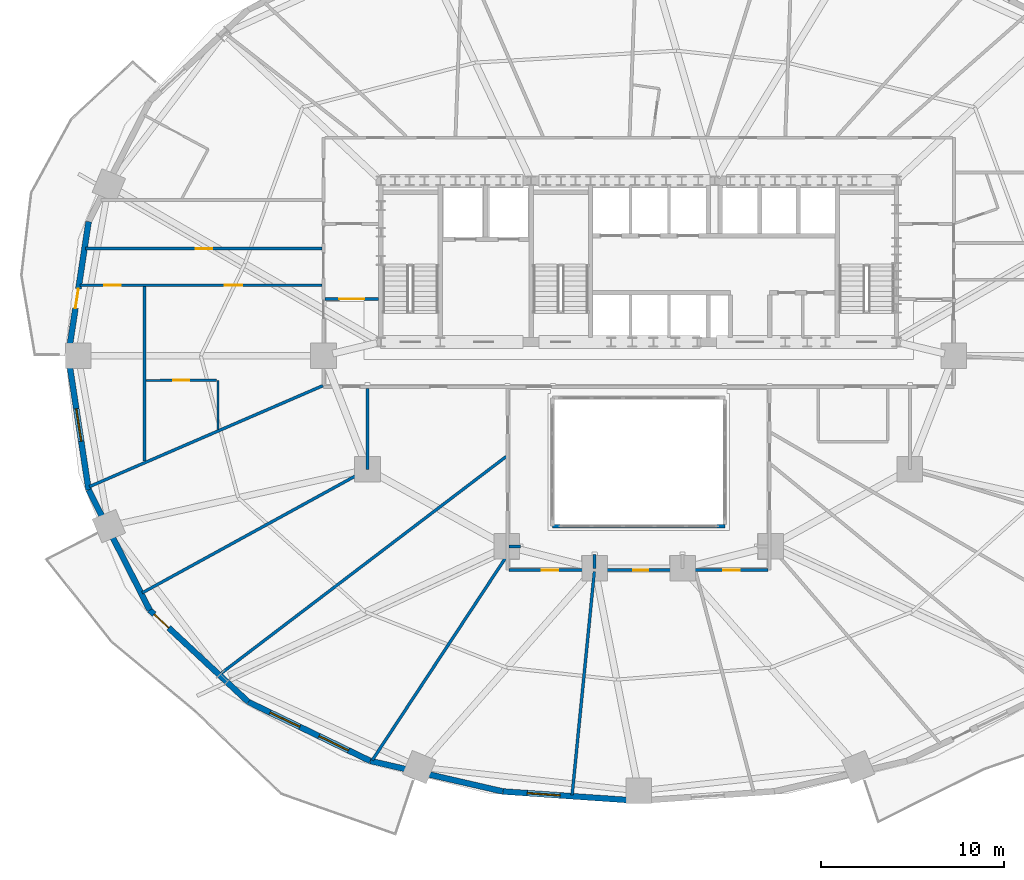
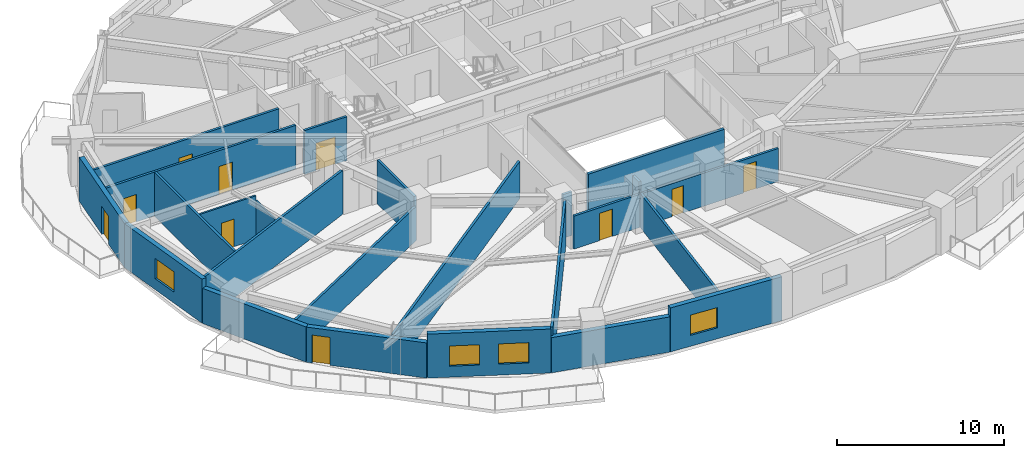
# One storey, part 9 of 17: 23 walls, 10 doors, 4 windows, 14 openings.
"""IFC4 building model written with IfcOpenShell, lengths in metres."""

from ifc_helpers import new_model, si_unit, direction, frame, frame_2d, origin, place, context, subcontext, project, spatial, rectangle, extrude, material, layer, layer_set, type_object, element, fill, save


model = new_model("IFC4")

# Units and contexts
model_context = context("Model", 3, precision=1e-05, world=origin(), true_north=direction((0.0, 1.0)))
body_context = subcontext(model_context, "Body", "Model", "MODEL_VIEW")
ifc_project = project(units=[si_unit("LENGTHUNIT", "METRE"), si_unit("AREAUNIT", "SQUARE_METRE"), si_unit("VOLUMEUNIT", "CUBIC_METRE"), si_unit("PLANEANGLEUNIT", "RADIAN"), si_unit("MASSUNIT", "GRAM", prefix="KILO")], contexts=[model_context])

# Site, building, storey
site_placement = place(None, origin())
site = spatial("IfcSite", under=ifc_project, at=site_placement, CompositionType="ELEMENT")
building_placement = place(site_placement, origin())
building = spatial("IfcBuilding", under=site, at=building_placement, Name="Haldorwick Loom Tower", CompositionType="ELEMENT")
storey_placement = place(building_placement, frame((0.0, 0.0, 44.699951171875)))
storey = spatial("IfcBuildingStorey", under=building, at=storey_placement, Name="L11", CompositionType="ELEMENT", Elevation=44.699951171875)

# Wall, opening, door
ifc_material_1 = material(Name="Pressed Clay Face Brick and Insulated Masonry Backup Assembly", Category="masonry")
ifc_layer_1 = layer(ifc_material_1, 0.320068359375, Name="Pressed Clay Face Brick and Insulated Masonry Backup Assembly", Category="masonry")
ifc_layer_set_1 = layer_set([ifc_layer_1], Name="Pressed Clay Face Brick and Insulated Masonry Backup Assembly")
wall_type_1 = type_object("IfcWallType", Name="ARC-WL-EXT320", PredefinedType="STANDARD", material=ifc_layer_set_1)
wall_1_placement = place(storey_placement, frame((5.978271484375, 33.320556640625, 0.0), z_axis=(0.0, 0.0, 1.0), x_axis=(-0.150476322528, -0.988613613278, 0.0)))
wall_1 = element("IfcWall", 1, at=wall_1_placement, inside=storey, type_object=wall_type_1, Name="L11 Brick Pier and Spandrel Wall 12", PredefinedType="STANDARD", context=body_context, shape_type="SweptSolid", body=[
    extrude(rectangle(XDim=7.40478515625, YDim=0.320068359375, at=frame_2d((3.702392578125, 0.0))), origin(), (0.0, 0.0, 1.0), 3.2099609375),
])
opening_1_placement = place(wall_1_placement, frame((3.702880859375, 0.0, 0.0)))
opening_1 = element("IfcOpeningElement", 2, at=opening_1_placement, cuts=wall_1, Name="Opening D-BL11", PredefinedType="OPENING", context=body_context, shape_type="SweptSolid", body=[
    extrude(rectangle(XDim=1.080078125, YDim=2.0400390625, at=frame_2d((0.5400390625, 1.02001953125))), frame((0.0, 0.169921875, 0.0), z_axis=(0.0, -1.0, 0.0), x_axis=(1.0, 0.0, 0.0)), (0.0, 0.0, 1.0), 0.340087890625),
])
ifc_material_2 = material(Name="Thermally Broken Anodized Aluminium Curtain Wall Framing", Category="aluminium")
door_type_1 = type_object("IfcDoorType", Name="ARC-DR-BAL110", OperationType="NOTDEFINED", PredefinedType="DOOR", material=ifc_material_2)
door_1_placement = place(opening_1_placement, origin())
door_1 = element("IfcDoor", 3, at=door_1_placement, inside=storey, type_object=door_type_1, Name="L11 Outdoor Terrace Door SLB-L11-BAL_WNW", OperationType="SINGLE_SWING_LEFT", OverallHeight=2.0400390625, OverallWidth=1.080078125, PredefinedType="DOOR", context=body_context, shape_type="SweptSolid", body=[
    extrude(rectangle(XDim=1.080078125, YDim=2.0400390625, at=frame_2d((0.5400390625, 1.02001953125))), frame((0.0, 0.02490234375, 0.0), z_axis=(0.0, -1.0, 0.0), x_axis=(1.0, 0.0, 0.0)), (0.0, 0.0, 1.0), 0.050048828125),
])
fill(opening_1, door_1)

# Wall, opening, window
wall_2_placement = place(storey_placement, frame((4.864013671875, 26.0, 0.0), z_axis=(0.0, 0.0, 1.0), x_axis=(0.150476322528, -0.988613613278, 0.0)))
wall_2 = element("IfcWall", 4, at=wall_2_placement, inside=storey, type_object=wall_type_1, Name="L11 Brick Pier and Spandrel Wall 13", PredefinedType="STANDARD", context=body_context, shape_type="SweptSolid", body=[
    extrude(rectangle(XDim=7.40478515625, YDim=0.320068359375, at=frame_2d((3.702392578125, 0.0))), origin(), (0.0, 0.0, 1.0), 3.2099609375),
])
opening_2_placement = place(wall_2_placement, frame((2.922607421875, 0.0, 0.800048828125)))
opening_2 = element("IfcOpeningElement", 5, at=opening_2_placement, cuts=wall_2, Name="Opening W-01", PredefinedType="OPENING", context=body_context, shape_type="SweptSolid", body=[
    extrude(rectangle(XDim=1.800048828125, YDim=1.47998046875, at=frame_2d((0.89990234375, 0.739990234375))), frame((0.0, 0.169921875, 0.0), z_axis=(0.0, -1.0, 0.0), x_axis=(1.0, 0.0, 0.0)), (0.0, 0.0, 1.0), 0.340087890625),
])
ifc_material_3 = material(Name="Triple-Glazed Low-E Argon Insulated Glazing Unit", Category="glass")
window_type = type_object("IfcWindowType", Name="ARC-WIN-W180", PartitioningType="SINGLE_PANEL", PredefinedType="WINDOW", material=ifc_material_3)
window_1_placement = place(opening_2_placement, origin())
window_1 = element("IfcWindow", 6, at=window_1_placement, inside=storey, type_object=window_type, Name="L11 Deep-Set Zone 7A Window 13", OverallHeight=1.47998046875, OverallWidth=1.800048828125, PartitioningType="SINGLE_PANEL", PredefinedType="WINDOW", context=body_context, shape_type="SweptSolid", body=[
    extrude(rectangle(XDim=1.800048828125, YDim=1.47998046875, at=frame_2d((0.89990234375, 0.739990234375))), frame((0.0, 0.030029296875, 0.0), z_axis=(0.0, -1.0, 0.0), x_axis=(1.0, 0.0, 0.0)), (0.0, 0.0, 1.0), 0.06005859375),
])
fill(opening_2, window_1)

# Wall
wall_3_placement = place(storey_placement, frame((5.978271484375, 18.679443359375, 0.0), z_axis=(0.0, 0.0, 1.0), x_axis=(0.452950855928, -0.891535485617, 0.0)))
element("IfcWall", 7, at=wall_3_placement, inside=storey, type_object=wall_type_1, Name="L11 Brick Pier and Spandrel Wall 14", PredefinedType="STANDARD", context=body_context, shape_type="SweptSolid", body=[
    extrude(rectangle(XDim=7.3583984375, YDim=0.320068359375, at=frame_2d((3.67919921875, 0.0))), origin(), (0.0, 0.0, 1.0), 2.569091796875),
])

# Wall, opening, door
wall_4_placement = place(storey_placement, frame((9.311279296875, 12.119140625, 0.0), z_axis=(0.0, 0.0, 1.0), x_axis=(0.73176101237, -0.681561311091, 0.0)))
wall_4 = element("IfcWall", 8, at=wall_4_placement, inside=storey, type_object=wall_type_1, Name="L11 Brick Pier and Spandrel Wall 15", PredefinedType="STANDARD", context=body_context, shape_type="SweptSolid", body=[
    extrude(rectangle(XDim=7.3583984375, YDim=0.320068359375, at=frame_2d((3.67919921875, 0.0))), origin(), (0.0, 0.0, 1.0), 2.569091796875),
])
opening_3_placement = place(wall_4_placement, frame((0.340087890625, 0.0, 0.0)))
opening_3 = element("IfcOpeningElement", 9, at=opening_3_placement, cuts=wall_4, Name="Opening D-BL11", PredefinedType="OPENING", context=body_context, shape_type="SweptSolid", body=[
    extrude(rectangle(XDim=1.080078125, YDim=2.0400390625, at=frame_2d((0.5400390625, 1.02001953125))), frame((0.0, 0.169921875, 0.0), z_axis=(0.0, -1.0, 0.0), x_axis=(1.0, 0.0, 0.0)), (0.0, 0.0, 1.0), 0.340087890625),
])
door_2_placement = place(opening_3_placement, origin())
door_2 = element("IfcDoor", 10, at=door_2_placement, inside=storey, type_object=door_type_1, Name="L11 Outdoor Terrace Door SLB-L11-BAL_SW", OperationType="SINGLE_SWING_LEFT", OverallHeight=2.0400390625, OverallWidth=1.080078125, PredefinedType="DOOR", context=body_context, shape_type="SweptSolid", body=[
    extrude(rectangle(XDim=1.080078125, YDim=2.0400390625, at=frame_2d((0.5400390625, 1.02001953125))), frame((0.0, 0.02490234375, 0.0), z_axis=(0.0, -1.0, 0.0), x_axis=(1.0, 0.0, 0.0)), (0.0, 0.0, 1.0), 0.050048828125),
])
fill(opening_3, door_2)

# Wall, openings, windows
wall_5_placement = place(storey_placement, frame((14.69580078125, 7.10400390625, 0.0), z_axis=(0.0, 0.0, 1.0), x_axis=(0.900295710431, -0.435278800057, 0.0)))
wall_5 = element("IfcWall", 11, at=wall_5_placement, inside=storey, type_object=wall_type_1, Name="L11 Brick Pier and Spandrel Wall 16", PredefinedType="STANDARD", context=body_context, shape_type="SweptSolid", body=[
    extrude(rectangle(XDim=7.39697265625, YDim=0.320068359375, at=frame_2d((3.698486328125, 0.0))), origin(), (0.0, 0.0, 1.0), 3.2099609375),
])
opening_4_placement = place(wall_5_placement, frame((1.319091796875, 0.0, 0.800048828125)))
opening_4 = element("IfcOpeningElement", 12, at=opening_4_placement, cuts=wall_5, Name="Opening W-01", PredefinedType="OPENING", context=body_context, shape_type="SweptSolid", body=[
    extrude(rectangle(XDim=1.800048828125, YDim=1.47998046875, at=frame_2d((0.89990234375, 0.739990234375))), frame((0.0, 0.169921875, 0.0), z_axis=(0.0, -1.0, 0.0), x_axis=(1.0, 0.0, 0.0)), (0.0, 0.0, 1.0), 0.340087890625),
])
opening_5_placement = place(wall_5_placement, frame((4.27783203125, 0.0, 0.800048828125)))
opening_5 = element("IfcOpeningElement", 13, at=opening_5_placement, cuts=wall_5, Name="Opening W-01", PredefinedType="OPENING", context=body_context, shape_type="SweptSolid", body=[
    extrude(rectangle(XDim=1.800048828125, YDim=1.47998046875, at=frame_2d((0.89990234375, 0.739990234375))), frame((0.0, 0.169921875, 0.0), z_axis=(0.0, -1.0, 0.0), x_axis=(1.0, 0.0, 0.0)), (0.0, 0.0, 1.0), 0.340087890625),
])
window_2_placement = place(opening_4_placement, origin())
window_2 = element("IfcWindow", 14, at=window_2_placement, inside=storey, type_object=window_type, Name="L11 Deep-Set Zone 7A Window 16", OverallHeight=1.47998046875, OverallWidth=1.800048828125, PartitioningType="SINGLE_PANEL", PredefinedType="WINDOW", context=body_context, shape_type="SweptSolid", body=[
    extrude(rectangle(XDim=1.800048828125, YDim=1.47998046875, at=frame_2d((0.89990234375, 0.739990234375))), frame((0.0, 0.030029296875, 0.0), z_axis=(0.0, -1.0, 0.0), x_axis=(1.0, 0.0, 0.0)), (0.0, 0.0, 1.0), 0.06005859375),
])
fill(opening_4, window_2)
window_3_placement = place(opening_5_placement, origin())
window_3 = element("IfcWindow", 15, at=window_3_placement, inside=storey, type_object=window_type, Name="L11 Deep-Set Zone 7A Window 16", OverallHeight=1.47998046875, OverallWidth=1.800048828125, PartitioningType="SINGLE_PANEL", PredefinedType="WINDOW", context=body_context, shape_type="SweptSolid", body=[
    extrude(rectangle(XDim=1.800048828125, YDim=1.47998046875, at=frame_2d((0.89990234375, 0.739990234375))), frame((0.0, 0.030029296875, 0.0), z_axis=(0.0, -1.0, 0.0), x_axis=(1.0, 0.0, 0.0)), (0.0, 0.0, 1.0), 0.06005859375),
])
fill(opening_5, window_3)

# Wall
wall_6_placement = place(storey_placement, frame((21.355224609375, 3.88427734375, 0.0), z_axis=(0.0, 0.0, 1.0), x_axis=(0.974522412345, -0.224290142088, 0.0)))
element("IfcWall", 16, at=wall_6_placement, inside=storey, type_object=wall_type_1, Name="L11 Brick Pier and Spandrel Wall 17", PredefinedType="STANDARD", context=body_context, shape_type="SweptSolid", body=[
    extrude(rectangle(XDim=7.422607421875, YDim=0.320068359375, at=frame_2d((3.71142578125, 0.0))), origin(), (0.0, 0.0, 1.0), 2.569091796875),
])

# Wall, opening, window
wall_7_placement = place(storey_placement, frame((28.588623046875, 2.219482421875, 0.0), z_axis=(0.0, 0.0, 1.0), x_axis=(0.997645161917, -0.068586667092, 0.0)))
wall_7 = element("IfcWall", 17, at=wall_7_placement, inside=storey, type_object=wall_type_1, Name="L11 Brick Pier and Spandrel Wall 18", PredefinedType="STANDARD", context=body_context, shape_type="SweptSolid", body=[
    extrude(rectangle(XDim=7.428955078125, YDim=0.320068359375, at=frame_2d((3.71435546875, 0.0))), origin(), (0.0, 0.0, 1.0), 3.2099609375),
])
opening_6_placement = place(wall_7_placement, frame((1.32861328125, 0.0, 0.800048828125)))
opening_6 = element("IfcOpeningElement", 18, at=opening_6_placement, cuts=wall_7, Name="Opening W-01", PredefinedType="OPENING", context=body_context, shape_type="SweptSolid", body=[
    extrude(rectangle(XDim=1.800048828125, YDim=1.47998046875, at=frame_2d((0.89990234375, 0.739990234375))), frame((0.0, 0.169921875, 0.0), z_axis=(0.0, -1.0, 0.0), x_axis=(1.0, 0.0, 0.0)), (0.0, 0.0, 1.0), 0.340087890625),
])
window_4_placement = place(opening_6_placement, origin())
window_4 = element("IfcWindow", 19, at=window_4_placement, inside=storey, type_object=window_type, Name="L11 Deep-Set Zone 7A Window 18", OverallHeight=1.47998046875, OverallWidth=1.800048828125, PartitioningType="SINGLE_PANEL", PredefinedType="WINDOW", context=body_context, shape_type="SweptSolid", body=[
    extrude(rectangle(XDim=1.800048828125, YDim=1.47998046875, at=frame_2d((0.89990234375, 0.739990234375))), frame((0.0, 0.030029296875, 0.0), z_axis=(0.0, -1.0, 0.0), x_axis=(1.0, 0.0, 0.0)), (0.0, 0.0, 1.0), 0.06005859375),
])
fill(opening_6, window_4)

# Wall, opening, door
ifc_material_4 = material(Name="Fire-Rated Type X Gypsum Stud Assembly EI 60")
ifc_layer_2 = layer(ifc_material_4, 0.159912109375, Name="Fire-Rated Type X Gypsum Stud Assembly EI 60")
ifc_layer_set_2 = layer_set([ifc_layer_2], Name="Fire-Rated Type X Gypsum Stud Assembly EI 60")
wall_type_2 = type_object("IfcWallType", Name="ARC-WL-FIRE160", PredefinedType="PARTITIONING", material=ifc_layer_set_2)
wall_8_placement = place(storey_placement, frame((18.883056640625, 29.10009765625, 0.0), z_axis=(0.0, 0.0, 1.0), x_axis=(1.0, 0.0, 0.0)))
wall_8 = element("IfcWall", 20, at=wall_8_placement, inside=storey, type_object=wall_type_2, Name="L11 Residential Fire Partition L11-CR-WSJ", PredefinedType="PARTITIONING", context=body_context, shape_type="SweptSolid", body=[
    extrude(rectangle(XDim=2.923828125, YDim=0.159912109375, at=frame_2d((1.4619140625, 0.0))), origin(), (0.0, 0.0, 1.0), 3.195068359375),
])
opening_7_placement = place(wall_8_placement, frame((0.787109375, 0.0, 0.0)))
opening_7 = element("IfcOpeningElement", 21, at=opening_7_placement, cuts=wall_8, Name="Opening D-CR15", PredefinedType="OPENING", context=body_context, shape_type="SweptSolid", body=[
    extrude(rectangle(XDim=1.35009765625, YDim=2.0, at=frame_2d((0.675048828125, 1.0))), frame((0.0, 0.08984375, 0.0), z_axis=(0.0, -1.0, 0.0), x_axis=(1.0, 0.0, 0.0)), (0.0, 0.0, 1.0), 0.179931640625),
])
ifc_material_5 = material(Name="Thermally Broken Anodized Aluminium and Tempered Glass", Category="aluminium")
door_type_2 = type_object("IfcDoorType", Name="ARC-DR-COR150", OperationType="NOTDEFINED", PredefinedType="DOOR", material=ifc_material_5)
door_3_placement = place(opening_7_placement, origin())
door_3 = element("IfcDoor", 22, at=door_3_placement, inside=storey, type_object=door_type_2, Name="L11 L11 West Residential Corridor to L11 Central Residential Corridor Do", OperationType="DOUBLE_DOOR_SINGLE_SWING", OverallHeight=2.0, OverallWidth=1.35009765625, PredefinedType="DOOR", context=body_context, shape_type="SweptSolid", body=[
    extrude(rectangle(XDim=1.35009765625, YDim=2.0, at=frame_2d((0.675048828125, 1.0))), frame((0.0, 0.02490234375, 0.0), z_axis=(0.0, -1.0, 0.0), x_axis=(1.0, 0.0, 0.0)), (0.0, 0.0, 1.0), 0.050048828125),
])
fill(opening_7, door_3)

# Wall, openings, doors
wall_9_placement = place(storey_placement, frame((28.93310546875, 14.300048828125, 0.0), z_axis=(0.0, 0.0, 1.0), x_axis=(1.0, 0.0, 0.0)))
wall_9 = element("IfcWall", 23, at=wall_9_placement, inside=storey, type_object=wall_type_2, Name="L11 Residential Fire Partition L11-CR-AS", PredefinedType="PARTITIONING", context=body_context, shape_type="SweptSolid", body=[
    extrude(rectangle(XDim=14.1337890625, YDim=0.159912109375, at=frame_2d((7.06689453125, 0.0))), origin(), (0.0, 0.0, 1.0), 2.412109375),
])
opening_8_placement = place(wall_9_placement, frame((1.77880859375, 0.0, 0.0)))
opening_8 = element("IfcOpeningElement", 24, at=opening_8_placement, cuts=wall_9, Name="Opening D-FD60A", PredefinedType="OPENING", context=body_context, shape_type="SweptSolid", body=[
    extrude(rectangle(XDim=0.89990234375, YDim=2.0, at=frame_2d((0.449951171875, 1.0))), frame((0.0, 0.08984375, 0.0), z_axis=(0.0, -1.0, 0.0), x_axis=(1.0, 0.0, 0.0)), (0.0, 0.0, 1.0), 0.179931640625),
])
opening_9_placement = place(wall_9_placement, frame((11.6962890625, 0.0, 0.0)))
opening_9 = element("IfcOpeningElement", 25, at=opening_9_placement, cuts=wall_9, Name="Opening D-FD60A", PredefinedType="OPENING", context=body_context, shape_type="SweptSolid", body=[
    extrude(rectangle(XDim=0.89990234375, YDim=2.0, at=frame_2d((0.449951171875, 1.0))), frame((0.0, 0.08984375, 0.0), z_axis=(0.0, -1.0, 0.0), x_axis=(1.0, 0.0, 0.0)), (0.0, 0.0, 1.0), 0.179931640625),
])
opening_10_placement = place(wall_9_placement, frame((6.77880859375, 0.0, 0.0)))
opening_10 = element("IfcOpeningElement", 26, at=opening_10_placement, cuts=wall_9, Name="Opening D-FD80", PredefinedType="OPENING", context=body_context, shape_type="SweptSolid", body=[
    extrude(rectangle(XDim=0.800048828125, YDim=2.0, at=frame_2d((0.39990234375, 1.0))), frame((0.0, 0.08984375, 0.0), z_axis=(0.0, -1.0, 0.0), x_axis=(1.0, 0.0, 0.0)), (0.0, 0.0, 1.0), 0.179931640625),
])
ifc_material_6 = material(Name="Hollow Steel Fire Door Assembly", Category="steel")
door_type_3 = type_object("IfcDoorType", Name="ARC-DR-FD60-80", OperationType="NOTDEFINED", PredefinedType="DOOR", material=ifc_material_6)
door_4_placement = place(opening_10_placement, origin())
door_4 = element("IfcDoor", 27, at=door_4_placement, inside=storey, type_object=door_type_3, Name="L11 L11 South Atrium Corridor to Community Teaching Classroom 8 Door", OperationType="SINGLE_SWING_LEFT", OverallHeight=2.0, OverallWidth=0.800048828125, PredefinedType="DOOR", context=body_context, shape_type="SweptSolid", body=[
    extrude(rectangle(XDim=0.800048828125, YDim=2.0, at=frame_2d((0.39990234375, 1.0))), frame((0.0, 0.02490234375, 0.0), z_axis=(0.0, -1.0, 0.0), x_axis=(1.0, 0.0, 0.0)), (0.0, 0.0, 1.0), 0.050048828125),
])
fill(opening_10, door_4)
door_type_4 = type_object("IfcDoorType", Name="ARC-DR-FD60-90", OperationType="NOTDEFINED", PredefinedType="DOOR", material=ifc_material_6)
door_5_placement = place(opening_8_placement, origin())
door_5 = element("IfcDoor", 28, at=door_5_placement, inside=storey, type_object=door_type_4, Name="L11 L11 South Atrium Corridor to Community Teaching Classroom 15 Door", OperationType="SINGLE_SWING_RIGHT", OverallHeight=2.0, OverallWidth=0.89990234375, PredefinedType="DOOR", context=body_context, shape_type="SweptSolid", body=[
    extrude(rectangle(XDim=0.89990234375, YDim=2.0, at=frame_2d((0.449951171875, 1.0))), frame((0.0, 0.02490234375, 0.0), z_axis=(0.0, -1.0, 0.0), x_axis=(1.0, 0.0, 0.0)), (0.0, 0.0, 1.0), 0.050048828125),
])
fill(opening_8, door_5)
door_6_placement = place(opening_9_placement, origin())
door_6 = element("IfcDoor", 29, at=door_6_placement, inside=storey, type_object=door_type_4, Name="L11 L11 South Atrium Corridor to Community Teaching Classroom 9 Door", OperationType="SINGLE_SWING_LEFT", OverallHeight=2.0, OverallWidth=0.89990234375, PredefinedType="DOOR", context=body_context, shape_type="SweptSolid", body=[
    extrude(rectangle(XDim=0.89990234375, YDim=2.0, at=frame_2d((0.449951171875, 1.0))), frame((0.0, 0.02490234375, 0.0), z_axis=(0.0, -1.0, 0.0), x_axis=(1.0, 0.0, 0.0)), (0.0, 0.0, 1.0), 0.050048828125),
])
fill(opening_9, door_6)

wall_10_placement = place(storey_placement, frame((5.515625, 29.85009765625, 0.0), z_axis=(0.0, 0.0, 1.0), x_axis=(1.0, 0.0, 0.0)))
wall_10 = element("IfcWall", 30, at=wall_10_placement, inside=storey, type_object=wall_type_2, Name="L11 Residential Fire Partition L11-CR-GW0", PredefinedType="PARTITIONING", context=body_context, shape_type="SweptSolid", body=[
    extrude(rectangle(XDim=13.201416015625, YDim=0.159912109375, at=frame_2d((6.6005859375, 0.0))), origin(), (0.0, 0.0, 1.0), 3.195068359375),
])
opening_11_placement = place(wall_10_placement, frame((7.8857421875, 0.0, 0.0)))
opening_11 = element("IfcOpeningElement", 31, at=opening_11_placement, cuts=wall_10, Name="Opening D-FL95", PredefinedType="OPENING", context=body_context, shape_type="SweptSolid", body=[
    extrude(rectangle(XDim=0.949951171875, YDim=2.0400390625, at=frame_2d((0.47509765625, 1.02001953125))), frame((0.0, 0.08984375, 0.0), z_axis=(0.0, -1.0, 0.0), x_axis=(1.0, 0.0, 0.0)), (0.0, 0.0, 1.0), 0.179931640625),
])
opening_12_placement = place(wall_10_placement, frame((1.310302734375, 0.0, 0.0)))
opening_12 = element("IfcOpeningElement", 32, at=opening_12_placement, cuts=wall_10, Name="Opening D-FD60A", PredefinedType="OPENING", context=body_context, shape_type="SweptSolid", body=[
    extrude(rectangle(XDim=0.89990234375, YDim=2.0, at=frame_2d((0.449951171875, 1.0))), frame((0.0, 0.08984375, 0.0), z_axis=(0.0, -1.0, 0.0), x_axis=(1.0, 0.0, 0.0)), (0.0, 0.0, 1.0), 0.179931640625),
])
door_7_placement = place(opening_12_placement, origin())
door_7 = element("IfcDoor", 33, at=door_7_placement, inside=storey, type_object=door_type_4, Name="L11 L11 West Daylight Corridor to Community Teaching Classroom 18 Door", OperationType="SINGLE_SWING_RIGHT", OverallHeight=2.0, OverallWidth=0.89990234375, PredefinedType="DOOR", context=body_context, shape_type="SweptSolid", body=[
    extrude(rectangle(XDim=0.89990234375, YDim=2.0, at=frame_2d((0.449951171875, 1.0))), frame((0.0, 0.02490234375, 0.0), z_axis=(0.0, -1.0, 0.0), x_axis=(1.0, 0.0, 0.0)), (0.0, 0.0, 1.0), 0.050048828125),
])
fill(opening_12, door_7)
ifc_material_7 = material(Name="Solid Core Birch Architectural Door")
door_type_5 = type_object("IfcDoorType", Name="ARC-DR-FLAT95", OperationType="NOTDEFINED", PredefinedType="DOOR", material=ifc_material_7)
door_8_placement = place(opening_11_placement, origin())
door_8 = element("IfcDoor", 34, at=door_8_placement, inside=storey, type_object=door_type_5, Name="L11 L11 West Daylight Corridor to Unit 11L Kitchen and Studio Living Roo", OperationType="SINGLE_SWING_RIGHT", OverallHeight=2.0400390625, OverallWidth=0.949951171875, PredefinedType="DOOR", context=body_context, shape_type="SweptSolid", body=[
    extrude(rectangle(XDim=0.949951171875, YDim=2.0400390625, at=frame_2d((0.47509765625, 1.02001953125))), frame((0.0, 0.02490234375, 0.0), z_axis=(0.0, -1.0, 0.0), x_axis=(1.0, 0.0, 0.0)), (0.0, 0.0, 1.0), 0.050048828125),
])
fill(opening_11, door_8)

# Wall, opening, door
wall_11_placement = place(storey_placement, frame((5.820068359375, 31.85009765625, 0.0), z_axis=(0.0, 0.0, 1.0), x_axis=(1.0, 0.0, 0.0)))
wall_11 = element("IfcWall", 35, at=wall_11_placement, inside=storey, type_object=wall_type_2, Name="L11 Residential Fire Partition L11-CR-GW1", PredefinedType="PARTITIONING", context=body_context, shape_type="SweptSolid", body=[
    extrude(rectangle(XDim=12.89697265625, YDim=0.159912109375, at=frame_2d((6.448486328125, 0.0))), origin(), (0.0, 0.0, 1.0), 3.195068359375),
])
opening_13_placement = place(wall_11_placement, frame((5.99853515625, 0.0, 0.0)))
opening_13 = element("IfcOpeningElement", 36, at=opening_13_placement, cuts=wall_11, Name="Opening D-FD60A", PredefinedType="OPENING", context=body_context, shape_type="SweptSolid", body=[
    extrude(rectangle(XDim=0.89990234375, YDim=2.0, at=frame_2d((0.449951171875, 1.0))), frame((0.0, 0.08984375, 0.0), z_axis=(0.0, -1.0, 0.0), x_axis=(1.0, 0.0, 0.0)), (0.0, 0.0, 1.0), 0.179931640625),
])
door_9_placement = place(opening_13_placement, frame((0.89990234375, 0.0, 0.0), z_axis=(0.0, 0.0, 1.0), x_axis=(-1.0, 0.0, 0.0)))
door_9 = element("IfcDoor", 37, at=door_9_placement, inside=storey, type_object=door_type_4, Name="L11 Board Study Room 3 to L11 West Daylight Corridor Door", OperationType="SINGLE_SWING_RIGHT", OverallHeight=2.0, OverallWidth=0.89990234375, PredefinedType="DOOR", context=body_context, shape_type="SweptSolid", body=[
    extrude(rectangle(XDim=0.89990234375, YDim=2.0, at=frame_2d((0.449951171875, 1.0))), frame((0.0, 0.02490234375, 0.0), z_axis=(0.0, -1.0, 0.0), x_axis=(1.0, 0.0, 0.0)), (0.0, 0.0, 1.0), 0.050048828125),
])
fill(opening_13, door_9)

# Walls
wall_12_placement = place(storey_placement, frame((33.581787109375, 14.217041015625, 0.0), z_axis=(0.0, 0.0, 1.0), x_axis=(-0.099130843149, -0.995074407236, 0.0)))
element("IfcWall", 38, at=wall_12_placement, inside=storey, type_object=wall_type_2, Name="L11 Residential Fire Partition L11-ICR-08", PredefinedType="PARTITIONING", context=body_context, shape_type="SweptSolid", body=[
    extrude(rectangle(XDim=12.25244140625, YDim=0.159912109375, at=frame_2d((6.126220703125, 0.0))), origin(), (0.0, 0.0, 1.0), 2.489990234375),
])
wall_13_placement = place(storey_placement, frame((21.199951171875, 19.800048828125, 0.0), z_axis=(0.0, 0.0, 1.0), x_axis=(-0.876894100386, -0.480683613938, 0.0)))
element("IfcWall", 39, at=wall_13_placement, inside=storey, type_object=wall_type_2, Name="L11 Residential Fire Partition L11-ICR-11", PredefinedType="PARTITIONING", context=body_context, shape_type="SweptSolid", body=[
    extrude(rectangle(XDim=14.020263671875, YDim=0.159912109375, at=frame_2d((7.01025390625, 0.0))), origin(), (0.0, 0.0, 1.0), 2.489990234375),
])
wall_14_placement = place(storey_placement, frame((33.60009765625, 15.14990234375, 0.0), z_axis=(0.0, 0.0, 1.0), x_axis=(0.0, -1.0, 0.0)))
element("IfcWall", 40, at=wall_14_placement, inside=storey, type_object=wall_type_2, Name="L11 Residential Fire Partition L11-ICA-07", PredefinedType="PARTITIONING", context=body_context, shape_type="SweptSolid", body=[
    extrude(rectangle(XDim=0.75, YDim=0.159912109375, at=frame_2d((0.375, 0.0))), origin(), (0.0, 0.0, 1.0), 3.195068359375),
])
wall_15_placement = place(storey_placement, frame((29.550048828125, 15.60009765625, 0.0), z_axis=(0.0, 0.0, 1.0), x_axis=(-1.0, 0.0, 0.0)))
element("IfcWall", 41, at=wall_15_placement, inside=storey, type_object=wall_type_2, Name="L11 Residential Fire Partition L11-ICA-09", PredefinedType="PARTITIONING", context=body_context, shape_type="SweptSolid", body=[
    extrude(rectangle(XDim=0.616943359375, YDim=0.159912109375, at=frame_2d((0.30859375, 0.0))), origin(), (0.0, 0.0, 1.0), 3.195068359375),
])
wall_16_placement = place(storey_placement, frame((21.199951171875, 24.217041015625, 0.0), z_axis=(0.0, 0.0, 1.0), x_axis=(0.0, -1.0, 0.0)))
element("IfcWall", 42, at=wall_16_placement, inside=storey, type_object=wall_type_2, Name="L11 Residential Fire Partition L11-ICA-10", PredefinedType="PARTITIONING", context=body_context, shape_type="SweptSolid", body=[
    extrude(rectangle(XDim=4.4169921875, YDim=0.159912109375, at=frame_2d((2.20849609375, 0.0))), origin(), (0.0, 0.0, 1.0), 3.195068359375),
])
wall_17_placement = place(storey_placement, frame((28.76708984375, 20.498779296875, 0.0), z_axis=(0.0, 0.0, 1.0), x_axis=(-0.795953215625, -0.605358140721, 0.0)))
element("IfcWall", 43, at=wall_17_placement, inside=storey, type_object=wall_type_2, Name="L11 Suite Split Wall", PredefinedType="PARTITIONING", context=body_context, shape_type="SweptSolid", body=[
    extrude(rectangle(XDim=19.612548828125, YDim=0.159912109375, at=frame_2d((9.80615234375, 0.0))), origin(), (0.0, 0.0, 1.0), 2.718994140625),
])
wall_18_placement = place(storey_placement, frame((6.01708984375, 18.85546875, 0.0), z_axis=(0.0, 0.0, 1.0), x_axis=(0.917855823935, 0.396913953483, 0.0)))
element("IfcWall", 44, at=wall_18_placement, inside=storey, type_object=wall_type_2, Name="L11 Suite Split Wall", PredefinedType="PARTITIONING", context=body_context, shape_type="SweptSolid", body=[
    extrude(rectangle(XDim=13.88330078125, YDim=0.159912109375, at=frame_2d((6.941650390625, 0.0))), origin(), (0.0, 0.0, 1.0), 3.195068359375),
])
wall_19_placement = place(storey_placement, frame((28.76708984375, 15.018798828125, 0.0), z_axis=(0.0, 0.0, 1.0), x_axis=(-0.550076561754, -0.835114229438, 0.0)))
element("IfcWall", 45, at=wall_19_placement, inside=storey, type_object=wall_type_2, Name="L11 Suite Split Wall", PredefinedType="PARTITIONING", context=body_context, shape_type="SweptSolid", body=[
    extrude(rectangle(XDim=13.281982421875, YDim=0.159912109375, at=frame_2d((6.64111328125, 0.0))), origin(), (0.0, 0.0, 1.0), 3.195068359375),
])
wall_20_placement = place(storey_placement, frame((9.018310546875, 20.243896484375, 0.0), z_axis=(0.0, 0.0, 1.0), x_axis=(0.0, 1.0, 0.0)))
element("IfcWall", 46, at=wall_20_placement, inside=storey, type_object=wall_type_2, Name="L11 Suite Split Wall", PredefinedType="PARTITIONING", context=body_context, shape_type="SweptSolid", body=[
    extrude(rectangle(XDim=9.523193359375, YDim=0.159912109375, at=frame_2d((4.76171875, 0.0))), origin(), (0.0, 0.0, 1.0), 3.195068359375),
])
ifc_material_8 = material(Name="Fire-Rated Type X Gypsum Stud Assembly EI 120")
ifc_layer_3 = layer(ifc_material_8, 0.199951171875, Name="Fire-Rated Type X Gypsum Stud Assembly EI 120")
ifc_layer_set_3 = layer_set([ifc_layer_3], Name="Fire-Rated Type X Gypsum Stud Assembly EI 120")
wall_type_3 = type_object("IfcWallType", Name="ARC-WL-FIRE200", PredefinedType="PARTITIONING", material=ifc_layer_set_3)
wall_21_placement = place(storey_placement, frame((40.699951171875, 16.699951171875, 0.0), z_axis=(0.0, 0.0, 1.0), x_axis=(-1.0, 0.0, 0.0)))
element("IfcWall", 47, at=wall_21_placement, inside=storey, type_object=wall_type_3, Name="L11 Atrium Fire Enclosure Wall S", PredefinedType="PARTITIONING", context=body_context, shape_type="SweptSolid", body=[
    extrude(rectangle(XDim=9.39990234375, YDim=0.199951171875, at=frame_2d((4.699951171875, 0.0))), origin(), (0.0, 0.0, 1.0), 3.195068359375),
])
ifc_material_9 = material(Name="Acoustic Gypsum Stud Assembly STC 55")
ifc_layer_4 = layer(ifc_material_9, 0.1201171875, Name="Acoustic Gypsum Stud Assembly STC 55")
ifc_layer_set_4 = layer_set([ifc_layer_4], Name="Acoustic Gypsum Stud Assembly STC 55")
wall_type_4 = type_object("IfcWallType", Name="ARC-WL-PART120", PredefinedType="PARTITIONING", material=ifc_layer_set_4)
wall_22_placement = place(storey_placement, frame((13.0322265625, 24.662841796875, 0.0), z_axis=(0.0, 0.0, 1.0), x_axis=(0.001365621451, -0.999999067539, 0.0)))
element("IfcWall", 48, at=wall_22_placement, inside=storey, type_object=wall_type_4, Name="L11 Unit 11L Interior Partition", PredefinedType="PARTITIONING", context=body_context, shape_type="SweptSolid", body=[
    extrude(rectangle(XDim=2.681640625, YDim=0.1201171875, at=frame_2d((1.3408203125, 0.0))), origin(), (0.0, 0.0, 1.0), 2.8271484375),
])

# Wall, opening, door
wall_23_placement = place(storey_placement, frame((12.96923828125, 24.66259765625, 0.0), z_axis=(0.0, 0.0, 1.0), x_axis=(-0.99999903586, -0.001388624553, 0.0)))
wall_23 = element("IfcWall", 49, at=wall_23_placement, inside=storey, type_object=wall_type_4, Name="L11 Unit 11L Interior Partition", PredefinedType="PARTITIONING", context=body_context, shape_type="SweptSolid", body=[
    extrude(rectangle(XDim=3.867919921875, YDim=0.1201171875, at=frame_2d((1.93408203125, 0.0))), origin(), (0.0, 0.0, 1.0), 3.195068359375),
])
opening_14_placement = place(wall_23_placement, frame((1.493896484375, 0.0, 0.0)))
opening_14 = element("IfcOpeningElement", 50, at=opening_14_placement, cuts=wall_23, Name="Opening D-BT88", PredefinedType="OPENING", context=body_context, shape_type="SweptSolid", body=[
    extrude(rectangle(XDim=0.8798828125, YDim=2.02001953125, at=frame_2d((0.43994140625, 1.010009765625))), frame((0.0, 0.070068359375, 0.0), z_axis=(0.0, -1.0, 0.0), x_axis=(1.0, 0.0, 0.0)), (0.0, 0.0, 1.0), 0.14013671875),
])
door_type_6 = type_object("IfcDoorType", Name="ARC-DR-BATH88", OperationType="NOTDEFINED", PredefinedType="DOOR", material=ifc_material_7)
door_10_placement = place(opening_14_placement, origin())
door_10 = element("IfcDoor", 51, at=door_10_placement, inside=storey, type_object=door_type_6, Name="L11 Unit 11L Bathroom to Unit 11L Kitchen and Studio Living Room Door", OperationType="SINGLE_SWING_LEFT", OverallHeight=2.02001953125, OverallWidth=0.8798828125, PredefinedType="DOOR", context=body_context, shape_type="SweptSolid", body=[
    extrude(rectangle(XDim=0.8798828125, YDim=2.02001953125, at=frame_2d((0.43994140625, 1.010009765625))), frame((0.0, 0.02490234375, 0.0), z_axis=(0.0, -1.0, 0.0), x_axis=(1.0, 0.0, 0.0)), (0.0, 0.0, 1.0), 0.050048828125),
])
fill(opening_14, door_10)

save(model, "model.ifc")
